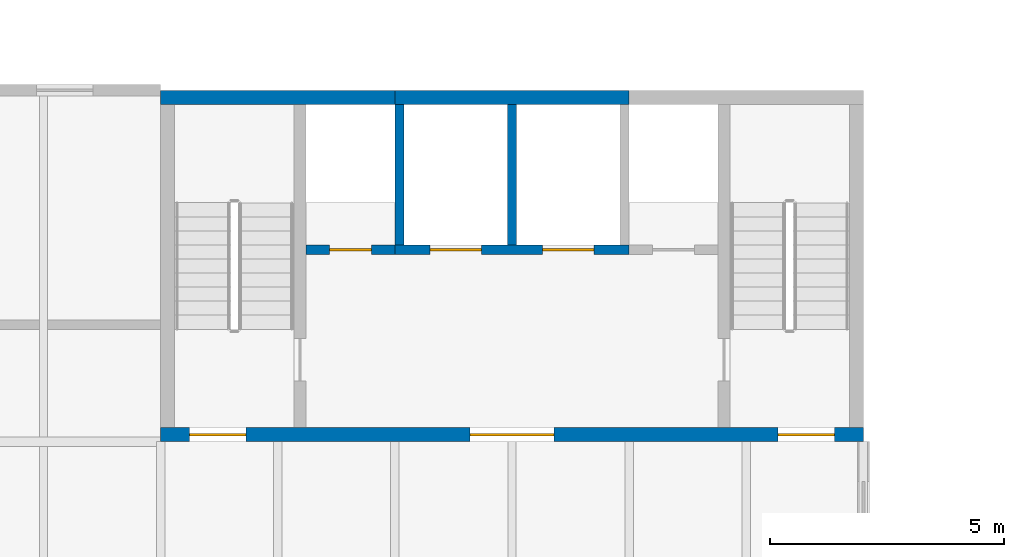
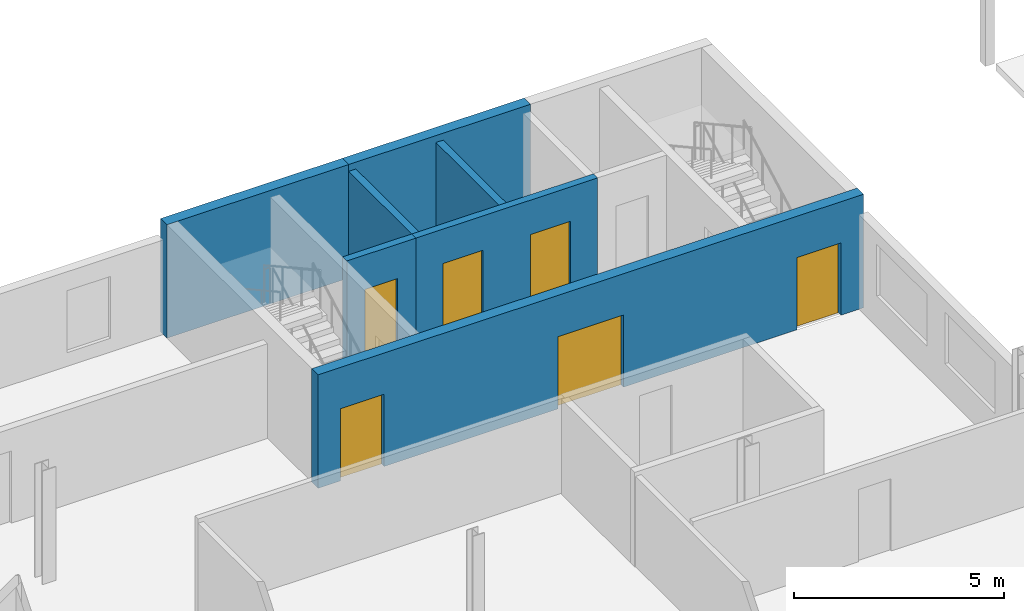
# One storey, part 55 of 199: 7 walls, 6 doors, 6 openings.
"""IFC4 building model written with IfcOpenShell, lengths in metres."""

from ifc_helpers import new_model, si_unit, direction, frame, frame_2d, origin, place, context, subcontext, project, spatial, rectangle, extrude, material, layer, layer_set, type_object, element, fill, save


model = new_model("IFC4")

# Units and contexts
model_context = context("Model", 3, precision=1e-05, world=origin(), true_north=direction((0.0, 1.0)))
body_context = subcontext(model_context, "Body", "Model", "MODEL_VIEW")
ifc_project = project(units=[si_unit("LENGTHUNIT", "METRE"), si_unit("AREAUNIT", "SQUARE_METRE"), si_unit("VOLUMEUNIT", "CUBIC_METRE"), si_unit("PLANEANGLEUNIT", "RADIAN"), si_unit("MASSUNIT", "GRAM", prefix="KILO")], contexts=[model_context])

# Site, building, storey
site_placement = place(None, origin())
site = spatial("IfcSite", under=ifc_project, at=site_placement, CompositionType="ELEMENT")
building_placement = place(site_placement, origin())
building = spatial("IfcBuilding", under=site, at=building_placement, Name="Parallax Yard Mobility Hub", CompositionType="ELEMENT")
storey_placement = place(building_placement, frame((0.0, 0.0, 9.89990234375)))
storey = spatial("IfcBuildingStorey", under=building, at=storey_placement, Name="L03", CompositionType="ELEMENT", Elevation=9.89990234375)

# Wall, openings, doors
ifc_material_1 = material(Name="Concrete fc' 35 MPa", Category="concrete")
ifc_layer_1 = layer(ifc_material_1, 0.300048828125)
ifc_layer_set_1 = layer_set([ifc_layer_1], Name="Concrete fc' 35 MPa core wall 300")
wall_type_1 = type_object("IfcWallType", Name="Concrete fc' 35 MPa core wall 300", PredefinedType="SHEAR", material=ifc_layer_set_1)
wall_1_placement = place(storey_placement, frame((142.5, 45.14990234375, 0.0), z_axis=(0.0, 0.0, 1.0), x_axis=(-1.0, 0.0, 0.0)))
wall_1 = element("IfcWall", 1, at=wall_1_placement, inside=storey, type_object=wall_type_1, Name="Core C6-E entry wall level L03", PredefinedType="SHEAR", context=body_context, shape_type="SweptSolid", body=[
    extrude(rectangle(XDim=15.0, YDim=0.300048828125, at=frame_2d((7.5, 0.0))), origin(), (0.0, 0.0, 1.0), 3.300048828125),
])
opening_1_placement = place(wall_1_placement, frame((13.179931640625, 0.0, 0.0)))
opening_1 = element("IfcOpeningElement", 2, at=opening_1_placement, cuts=wall_1, Name="Opening L03-D742", PredefinedType="OPENING", context=body_context, shape_type="SweptSolid", body=[
    extrude(rectangle(XDim=1.199951171875, YDim=2.10009765625, at=frame_2d((0.60009765625, 1.050048828125))), frame((0.0, 0.16015625, 0.0), z_axis=(0.0, -1.0, 0.0), x_axis=(1.0, 0.0, 0.0)), (0.0, 0.0, 1.0), 0.320068359375),
])
opening_2_placement = place(wall_1_placement, frame((0.6201171875, 0.0, 0.0)))
opening_2 = element("IfcOpeningElement", 3, at=opening_2_placement, cuts=wall_1, Name="Opening L03-D743", PredefinedType="OPENING", context=body_context, shape_type="SweptSolid", body=[
    extrude(rectangle(XDim=1.199951171875, YDim=2.10009765625, at=frame_2d((0.60009765625, 1.050048828125))), frame((0.0, 0.16015625, 0.0), z_axis=(0.0, -1.0, 0.0), x_axis=(1.0, 0.0, 0.0)), (0.0, 0.0, 1.0), 0.320068359375),
])
opening_3_placement = place(wall_1_placement, frame((6.60009765625, 0.0, 0.0)))
opening_3 = element("IfcOpeningElement", 4, at=opening_3_placement, cuts=wall_1, Name="Opening L03-D744", PredefinedType="OPENING", context=body_context, shape_type="SweptSolid", body=[
    extrude(rectangle(XDim=1.800048828125, YDim=2.10009765625, at=frame_2d((0.89990234375, 1.050048828125))), frame((0.0, 0.16015625, 0.0), z_axis=(0.0, -1.0, 0.0), x_axis=(1.0, 0.0, 0.0)), (0.0, 0.0, 1.0), 0.320068359375),
])
ifc_material_2 = material(Name="Hollow metal steel door and frame", Category="steel")
door_type_1 = type_object("IfcDoorType", Name="Core door 1200 x 2100 FD90", OperationType="NOTDEFINED", PredefinedType="DOOR", material=ifc_material_2)
door_1_placement = place(opening_1_placement, origin())
door_1 = element("IfcDoor", 5, at=door_1_placement, inside=storey, type_object=door_type_1, Name="Stair deck door L03-D742, core C6-E level L03", OperationType="SINGLE_SWING_RIGHT", OverallHeight=2.10009765625, OverallWidth=1.199951171875, PredefinedType="DOOR", context=body_context, shape_type="SweptSolid", body=[
    extrude(rectangle(XDim=1.199951171875, YDim=2.10009765625, at=frame_2d((0.60009765625, 1.050048828125))), frame((0.0, 0.02490234375, 0.0), z_axis=(0.0, -1.0, 0.0), x_axis=(1.0, 0.0, 0.0)), (0.0, 0.0, 1.0), 0.050048828125),
])
fill(opening_1, door_1)
door_2_placement = place(opening_2_placement, origin())
door_2 = element("IfcDoor", 6, at=door_2_placement, inside=storey, type_object=door_type_1, Name="Stair deck door L03-D743, core C6-E level L03", OperationType="SINGLE_SWING_LEFT", OverallHeight=2.10009765625, OverallWidth=1.199951171875, PredefinedType="DOOR", context=body_context, shape_type="SweptSolid", body=[
    extrude(rectangle(XDim=1.199951171875, YDim=2.10009765625, at=frame_2d((0.60009765625, 1.050048828125))), frame((0.0, 0.02490234375, 0.0), z_axis=(0.0, -1.0, 0.0), x_axis=(1.0, 0.0, 0.0)), (0.0, 0.0, 1.0), 0.050048828125),
])
fill(opening_2, door_2)
door_type_2 = type_object("IfcDoorType", Name="Core double door 1800 x 2100 FD90", OperationType="NOTDEFINED", PredefinedType="DOOR", material=ifc_material_2)
door_3_placement = place(opening_3_placement, origin())
door_3 = element("IfcDoor", 7, at=door_3_placement, inside=storey, type_object=door_type_2, Name="Lift lobby door L03-D744, core C6-E level L03", OperationType="DOUBLE_DOOR_SINGLE_SWING", OverallHeight=2.10009765625, OverallWidth=1.800048828125, PredefinedType="DOOR", context=body_context, shape_type="SweptSolid", body=[
    extrude(rectangle(XDim=1.800048828125, YDim=2.10009765625, at=frame_2d((0.89990234375, 1.050048828125))), frame((0.0, 0.02490234375, 0.0), z_axis=(0.0, -1.0, 0.0), x_axis=(1.0, 0.0, 0.0)), (0.0, 0.0, 1.0), 0.050048828125),
])
fill(opening_3, door_3)

# Walls
for number, where, z_axis, x_axis, name in (
    (8, (127.5, 52.35009765625, 0.0), (0.0, 0.0, 1.0), (1.0, 0.0, 0.0), "Core C6-E back wall part 1 level L03"),
    (9, (132.5, 52.35009765625, 0.0), (0.0, 0.0, 1.0), (1.0, 0.0, 0.0), "Core C6-E back wall part 2 level L03"),
):
    element("IfcWall", number, at=place(storey_placement, frame(where, z_axis=z_axis, x_axis=x_axis)), inside=storey, type_object=wall_type_1, Name=name, PredefinedType="SHEAR", context=body_context, shape_type="SweptSolid", body=[
        extrude(rectangle(XDim=5.0, YDim=0.300048828125, at=frame_2d((2.5, 0.0))), origin(), (0.0, 0.0, 1.0), 3.300048828125),
    ])

# Wall, opening, door
ifc_layer_2 = layer(ifc_material_1, 0.199951171875)
ifc_layer_set_2 = layer_set([ifc_layer_2], Name="Concrete fc' 35 MPa internal core wall 200")
wall_type_2 = type_object("IfcWallType", Name="Concrete fc' 35 MPa internal core wall 200", PredefinedType="STANDARD", material=ifc_layer_set_2)
wall_2_placement = place(storey_placement, frame((132.5, 49.10009765625, 0.0), z_axis=(0.0, 0.0, 1.0), x_axis=(-1.0, 0.0, 0.0)))
wall_2 = element("IfcWall", 10, at=wall_2_placement, inside=storey, type_object=wall_type_2, Name="Core C6-E lift front 1 part 1 level L03", PredefinedType="STANDARD", context=body_context, shape_type="SweptSolid", body=[
    extrude(rectangle(XDim=1.89990234375, YDim=0.199951171875, at=frame_2d((0.949951171875, 0.0))), origin(), (0.0, 0.0, 1.0), 3.10009765625),
])
opening_4_placement = place(wall_2_placement, frame((0.5, 0.0, 0.0)))
opening_4 = element("IfcOpeningElement", 11, at=opening_4_placement, cuts=wall_2, Name="Opening L03-D749", PredefinedType="OPENING", context=body_context, shape_type="SweptSolid", body=[
    extrude(rectangle(XDim=0.89990234375, YDim=2.10009765625, at=frame_2d((0.449951171875, 1.050048828125))), frame((0.0, 0.10986328125, 0.0), z_axis=(0.0, -1.0, 0.0), x_axis=(1.0, 0.0, 0.0)), (0.0, 0.0, 1.0), 0.219970703125),
])
door_type_3 = type_object("IfcDoorType", Name="Riser door 900 x 2100 FD90", OperationType="NOTDEFINED", PredefinedType="DOOR", material=ifc_material_2)
door_4_placement = place(opening_4_placement, origin())
door_4 = element("IfcDoor", 12, at=door_4_placement, inside=storey, type_object=door_type_3, Name="Riser door L03-D749, core C6-E level L03", OperationType="SINGLE_SWING_RIGHT", OverallHeight=2.10009765625, OverallWidth=0.89990234375, PredefinedType="DOOR", context=body_context, shape_type="SweptSolid", body=[
    extrude(rectangle(XDim=0.89990234375, YDim=2.10009765625, at=frame_2d((0.449951171875, 1.050048828125))), frame((0.0, 0.02490234375, 0.0), z_axis=(0.0, -1.0, 0.0), x_axis=(1.0, 0.0, 0.0)), (0.0, 0.0, 1.0), 0.050048828125),
])
fill(opening_4, door_4)

# Wall, openings, doors
wall_3_placement = place(storey_placement, frame((132.5, 49.10009765625, 0.0), z_axis=(0.0, 0.0, 1.0), x_axis=(1.0, 0.0, 0.0)))
wall_3 = element("IfcWall", 13, at=wall_3_placement, inside=storey, type_object=wall_type_2, Name="Core C6-E lift front 2 part 2 level L03", PredefinedType="STANDARD", context=body_context, shape_type="SweptSolid", body=[
    extrude(rectangle(XDim=5.0, YDim=0.199951171875, at=frame_2d((2.5, 0.0))), origin(), (0.0, 0.0, 1.0), 3.10009765625),
])
opening_5_placement = place(wall_3_placement, frame((0.75, 0.0, 0.0)))
opening_5 = element("IfcOpeningElement", 14, at=opening_5_placement, cuts=wall_3, Name="Opening L03-D747", PredefinedType="OPENING", context=body_context, shape_type="SweptSolid", body=[
    extrude(rectangle(XDim=1.10009765625, YDim=2.10009765625, at=frame_2d((0.550048828125, 1.050048828125))), frame((0.0, 0.10986328125, 0.0), z_axis=(0.0, -1.0, 0.0), x_axis=(1.0, 0.0, 0.0)), (0.0, 0.0, 1.0), 0.219970703125),
])
opening_6_placement = place(wall_3_placement, frame((3.14990234375, 0.0, 0.0)))
opening_6 = element("IfcOpeningElement", 15, at=opening_6_placement, cuts=wall_3, Name="Opening L03-D748", PredefinedType="OPENING", context=body_context, shape_type="SweptSolid", body=[
    extrude(rectangle(XDim=1.10009765625, YDim=2.10009765625, at=frame_2d((0.550048828125, 1.050048828125))), frame((0.0, 0.10986328125, 0.0), z_axis=(0.0, -1.0, 0.0), x_axis=(1.0, 0.0, 0.0)), (0.0, 0.0, 1.0), 0.219970703125),
])
ifc_material_3 = material(Name="Stainless steel sliding door and frame", Category="steel")
door_type_4 = type_object("IfcDoorType", Name="Lift landing door 1100 x 2100 FD90", OperationType="DOUBLE_DOOR_SLIDING", PredefinedType="DOOR", material=ifc_material_3)
door_5_placement = place(opening_5_placement, origin())
door_5 = element("IfcDoor", 16, at=door_5_placement, inside=storey, type_object=door_type_4, Name="Lift landing door L03-D747, core C6-E level L03", OperationType="DOUBLE_DOOR_SLIDING", OverallHeight=2.10009765625, OverallWidth=1.10009765625, PredefinedType="DOOR", context=body_context, shape_type="SweptSolid", body=[
    extrude(rectangle(XDim=1.10009765625, YDim=2.10009765625, at=frame_2d((0.550048828125, 1.050048828125))), frame((0.0, 0.02490234375, 0.0), z_axis=(0.0, -1.0, 0.0), x_axis=(1.0, 0.0, 0.0)), (0.0, 0.0, 1.0), 0.050048828125),
])
fill(opening_5, door_5)
door_6_placement = place(opening_6_placement, origin())
door_6 = element("IfcDoor", 17, at=door_6_placement, inside=storey, type_object=door_type_4, Name="Lift landing door L03-D748, core C6-E level L03", OperationType="DOUBLE_DOOR_SLIDING", OverallHeight=2.10009765625, OverallWidth=1.10009765625, PredefinedType="DOOR", context=body_context, shape_type="SweptSolid", body=[
    extrude(rectangle(XDim=1.10009765625, YDim=2.10009765625, at=frame_2d((0.550048828125, 1.050048828125))), frame((0.0, 0.02490234375, 0.0), z_axis=(0.0, -1.0, 0.0), x_axis=(1.0, 0.0, 0.0)), (0.0, 0.0, 1.0), 0.050048828125),
])
fill(opening_6, door_6)

# Walls
for number, where, z_axis, x_axis, name in (
    (18, (132.60009765625, 49.199951171875, 0.0), (0.0, 0.0, 1.0), (0.0, 1.0, 0.0), "Core C6-E lift wall 1 part 1 level L03"),
    (19, (135.0, 49.199951171875, 0.0), (0.0, 0.0, 1.0), (0.0, 1.0, 0.0), "Core C6-E lift wall 2 part 2 level L03"),
):
    element("IfcWall", number, at=place(storey_placement, frame(where, z_axis=z_axis, x_axis=x_axis)), inside=storey, type_object=wall_type_2, Name=name, PredefinedType="STANDARD", context=body_context, shape_type="SweptSolid", body=[
        extrude(rectangle(XDim=3.0, YDim=0.199951171875, at=frame_2d((1.5, 0.0))), origin(), (0.0, 0.0, 1.0), 3.10009765625),
    ])

save(model, "model.ifc")
